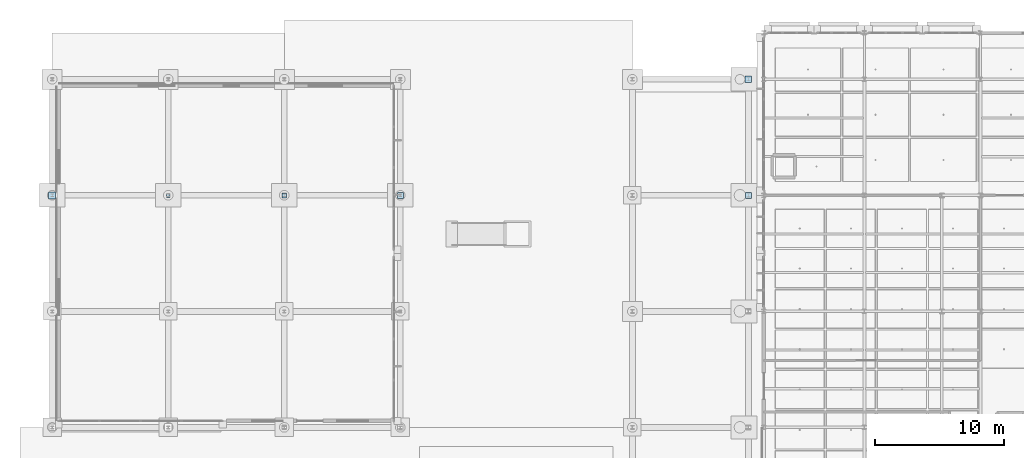
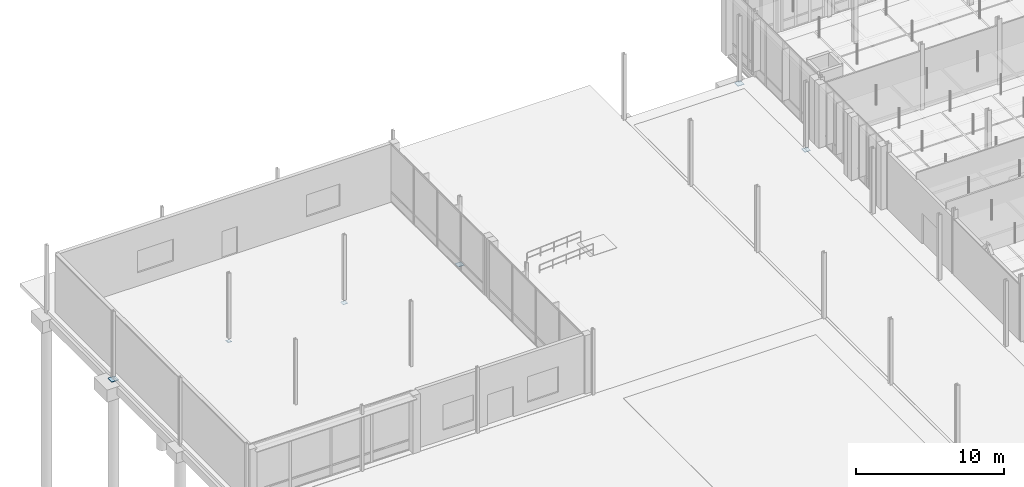
# One storey, part 89 of 180: 6 plates.
"""IFC4 building model written with IfcOpenShell, lengths in metres."""

from ifc_helpers import new_model, si_unit, direction, frame, origin, origin_2d, place, context, subcontext, project, spatial, rectangle, extrude, material, layer, layer_set, type_object, element, save


model = new_model("IFC4")

# Units and contexts
model_context = context("Model", 3, precision=1e-05, world=origin(), true_north=direction((0.0, 1.0)))
body_context = subcontext(model_context, "Body", "Model", "MODEL_VIEW")
ifc_project = project(units=[si_unit("LENGTHUNIT", "METRE"), si_unit("AREAUNIT", "SQUARE_METRE"), si_unit("VOLUMEUNIT", "CUBIC_METRE"), si_unit("PLANEANGLEUNIT", "RADIAN"), si_unit("MASSUNIT", "GRAM", prefix="KILO"), si_unit("THERMODYNAMICTEMPERATUREUNIT", "KELVIN"), si_unit("POWERUNIT", "WATT")], contexts=[model_context])

# Site, building, storey
site_placement = place(None, origin())
site = spatial("IfcSite", under=ifc_project, at=site_placement, CompositionType="ELEMENT")
building_placement = place(site_placement, origin())
building = spatial("IfcBuilding", under=site, at=building_placement, Name="Tallowbark Science Centre", CompositionType="ELEMENT")
storey_placement = place(building_placement, origin())
storey = spatial("IfcBuildingStorey", under=building, at=storey_placement, Name="L00", CompositionType="ELEMENT", Elevation=0.0)

# Plates
ifc_material = material(Name="Structural Steel Grade 300PLUS (300 MPa)", Category="steel")
ifc_layer_1 = layer(ifc_material, 0.010009765625)
ifc_layer_set_1 = layer_set([ifc_layer_1], Name="Structural Steel Grade 300PLUS (300 MPa)")
plate_type_1 = type_object("IfcPlateType", Name="PLT-GUS-10", PredefinedType="SHEET", material=ifc_layer_set_1)
plate_1_placement = place(storey_placement, frame((9.0, 99.0, -0.259765625), z_axis=(0.0, 0.0, 1.0), x_axis=(1.0, 0.0, 0.0)))
element("IfcPlate", 1, at=plate_1_placement, inside=storey, type_object=plate_type_1, Name="Column Baseplate PRK-1_2", PredefinedType="SHEET", context=body_context, shape_type="SweptSolid", body=[
    extrude(rectangle(XDim=0.300048828125, YDim=0.300048828125, at=origin_2d()), origin(), (0.0, 0.0, 1.0), 0.010009765625),
])
ifc_layer_2 = layer(ifc_material, 0.01806640625)
ifc_layer_set_2 = layer_set([ifc_layer_2], Name="Structural Steel Grade 300PLUS (300 MPa)")
plate_type_2 = type_object("IfcPlateType", Name="PLT-GUS-18", PredefinedType="SHEET", material=ifc_layer_set_2)
plate_2_placement = place(storey_placement, frame((18.0, 99.0, -0.260009765625), z_axis=(0.0, 0.0, 1.0), x_axis=(1.0, 0.0, 0.0)))
element("IfcPlate", 2, at=plate_2_placement, inside=storey, type_object=plate_type_2, Name="Column Baseplate PRK-2_2", PredefinedType="SHEET", context=body_context, shape_type="SweptSolid", body=[
    extrude(rectangle(XDim=0.3798828125, YDim=0.3798828125, at=origin_2d()), origin(), (0.0, 0.0, 1.0), 0.01806640625),
])
ifc_layer_3 = layer(ifc_material, 0.02587890625)
ifc_layer_set_3 = layer_set([ifc_layer_3], Name="Structural Steel Grade 300PLUS (300 MPa)")
plate_type_3 = type_object("IfcPlateType", Name="PLT-GUS-26", PredefinedType="SHEET", material=ifc_layer_set_3)
for number, where, z_axis, x_axis, name in (
    (3, (54.0, 99.0, -0.260009765625), (0.0, 0.0, 1.0), (1.0, 0.0, 0.0), "Column Baseplate PAS-E11"),
    (4, (27.0, 99.0, -0.260009765625), (0.0, 0.0, 1.0), (1.0, 0.0, 0.0), "Column Baseplate PRK-3_2"),
):
    element("IfcPlate", number, at=place(storey_placement, frame(where, z_axis=z_axis, x_axis=x_axis)), inside=storey, type_object=plate_type_3, Name=name, PredefinedType="SHEET", context=body_context, shape_type="SweptSolid", body=[
        extrude(rectangle(XDim=0.4599609375, YDim=0.4599609375, at=origin_2d()), origin(), (0.0, 0.0, 1.0), 0.02587890625),
    ])
ifc_layer_4 = layer(ifc_material, 0.030029296875)
ifc_layer_set_4 = layer_set([ifc_layer_4], Name="Structural Steel Grade 300PLUS (300 MPa)")
plate_type_4 = type_object("IfcPlateType", Name="PLT-GUS-30", PredefinedType="SHEET", material=ifc_layer_set_4)
plate_3_placement = place(storey_placement, frame((54.0, 108.0, -0.26025390625), z_axis=(0.0, 0.0, 1.0), x_axis=(1.0, 0.0, 0.0)))
element("IfcPlate", 5, at=plate_3_placement, inside=storey, type_object=plate_type_4, Name="Column Baseplate PAS-E12", PredefinedType="SHEET", context=body_context, shape_type="SweptSolid", body=[
    extrude(rectangle(XDim=0.5, YDim=0.5, at=origin_2d()), origin(), (0.0, 0.0, 1.0), 0.030029296875),
])
ifc_layer_5 = layer(ifc_material, 0.033935546875)
ifc_layer_set_5 = layer_set([ifc_layer_5], Name="Structural Steel Grade 300PLUS (300 MPa)")
plate_type_5 = type_object("IfcPlateType", Name="PLT-GUS-34", PredefinedType="SHEET", material=ifc_layer_set_5)
plate_4_placement = place(storey_placement, frame((0.0, 99.0, -0.259765625), z_axis=(0.0, 0.0, 1.0), x_axis=(1.0, 0.0, 0.0)))
element("IfcPlate", 6, at=plate_4_placement, inside=storey, type_object=plate_type_5, Name="Column Baseplate PRK-0_2", PredefinedType="SHEET", context=body_context, shape_type="SweptSolid", body=[
    extrude(rectangle(XDim=0.5400390625, YDim=0.5400390625, at=origin_2d()), origin(), (0.0, 0.0, 1.0), 0.033935546875),
])

save(model, "model.ifc")
